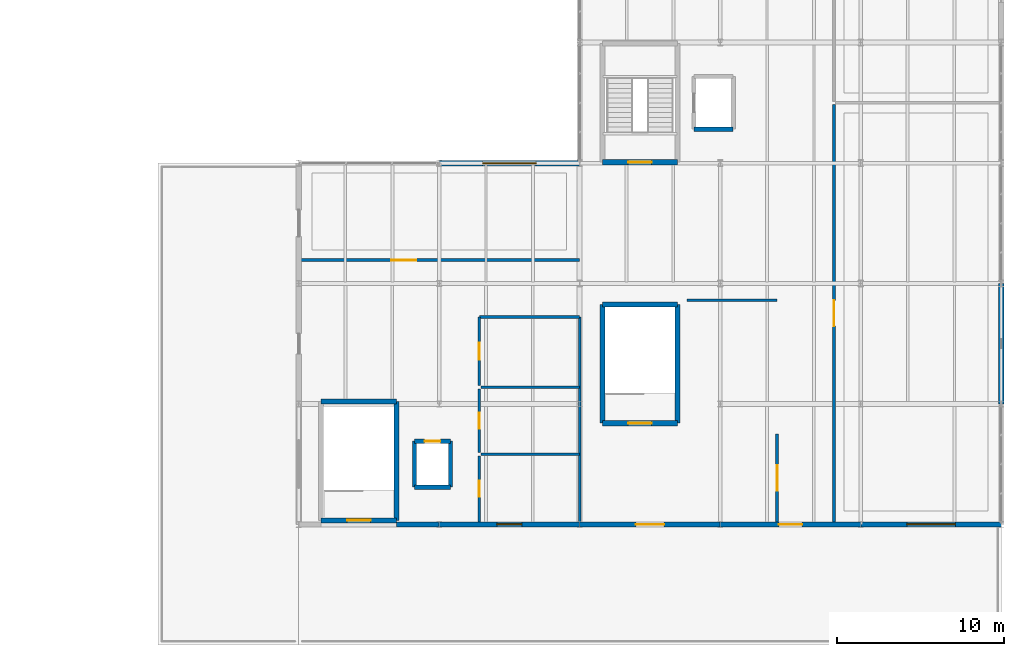
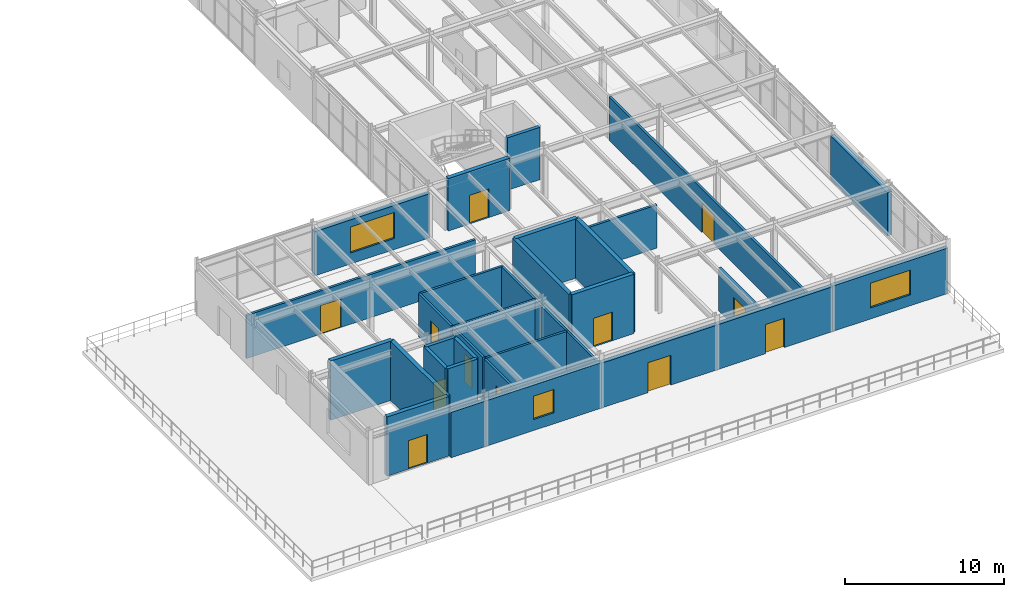
# One storey, part 129 of 134: 31 walls, 12 doors, 3 windows, 15 openings.
"""IFC4 building model written with IfcOpenShell, lengths in metres."""

import ifcopenshell
import ifcopenshell.guid

model = None  # the IFC model being written
_history = None  # IfcOwnerHistory: only IFC2X3 demands one
_inside = {}  # id of a spatial element -> (the spatial element, [elements in it])
_under = {}  # id of a project, library or spatial element -> (it, [spatial elements below it])
_declared = {}  # id of a project -> (the project, [libraries it declares])
_typed = {}  # id of a type object -> (the type object, [elements of that type])
_made_of = {}  # id of a material, layer set ... -> (it, [elements and type objects made of it])


def new_model(schema):
    """Start an empty IFC model of exactly this schema.

    Asked for "IFC4X3", IfcOpenShell would pick the latest addendum, in which some entities
    have other attributes; the version numbers below select the first issue.
    IFC2X3 requires an IfcOwnerHistory on every rooted entity: one is made here for all.
    """
    global model, _history
    if schema == "IFC4X3":
        model = ifcopenshell.file(schema_version=(4, 3, 0, 0))
    else:
        model = ifcopenshell.file(schema=schema)
    _inside.clear()
    _under.clear()
    _declared.clear()
    _typed.clear()
    _made_of.clear()
    _history = None
    if model.schema == "IFC2X3":
        org = make("IfcOrganization", Name="unknown")
        user = make(
            "IfcPersonAndOrganization",
            ThePerson=make("IfcPerson", FamilyName="unknown"),
            TheOrganization=org,
        )
        app = make(
            "IfcApplication",
            ApplicationDeveloper=org,
            Version="unknown",
            ApplicationFullName="unknown",
            ApplicationIdentifier="unknown",
        )
        _history = make(
            "IfcOwnerHistory",
            OwningUser=user,
            OwningApplication=app,
            ChangeAction="ADDED",
            CreationDate=0,
        )
    return model


def make(cls, **values):
    """One entity of the class cls with the attributes given. An attribute that is None is left unset."""
    return model.create_entity(
        cls, **{name: value for name, value in values.items() if value is not None}
    )


def rooted(cls, **values):
    """An entity with a GlobalId (a new one), such as an element, a storey or a relation."""
    return make(cls, GlobalId=ifcopenshell.guid.new(), OwnerHistory=_history, **values)


def si_unit(unit_type, name, prefix=None):
    """IfcSIUnit, for example si_unit("LENGTHUNIT", "METRE", prefix="MILLI")."""
    return make("IfcSIUnit", UnitType=unit_type, Prefix=prefix, Name=name)


def derived_unit(unit_type, elements):
    """IfcDerivedUnit: a product of units, each with its exponent."""
    return make(
        "IfcDerivedUnit",
        Elements=[
            make("IfcDerivedUnitElement", Unit=unit, Exponent=power)
            for unit, power in elements
        ],
        UnitType=unit_type,
    )


def assignment(units):
    """IfcUnitAssignment: the units of a project."""
    return None if units is None else make("IfcUnitAssignment", Units=units)


def point(xyz):
    """IfcCartesianPoint."""
    return None if xyz is None else make("IfcCartesianPoint", Coordinates=xyz)


def direction(xyz):
    """IfcDirection."""
    return None if xyz is None else make("IfcDirection", DirectionRatios=xyz)


def frame(location, z_axis=None, x_axis=None):
    """IfcAxis2Placement3D, a coordinate frame: its origin and axes. An axis left out is left unset."""
    return make(
        "IfcAxis2Placement3D",
        Location=point(location),
        Axis=direction(z_axis),
        RefDirection=direction(x_axis),
    )


def frame_2d(location, x_axis=None):
    """IfcAxis2Placement2D, a coordinate frame in the plane: its origin and x axis."""
    return make(
        "IfcAxis2Placement2D", Location=point(location), RefDirection=direction(x_axis)
    )


def origin():
    """The frame at (0, 0, 0) with its axes left unset."""
    return frame((0.0, 0.0, 0.0))


def place(relative_to, where):
    """IfcLocalPlacement: puts the frame where relative to a parent placement (None: the world)."""
    return make(
        "IfcLocalPlacement", PlacementRelTo=relative_to, RelativePlacement=where
    )


def context(
    kind, dimensions, precision=None, world=None, true_north=None, identifier=None
):
    """IfcGeometricRepresentationContext, for example the 3D "Model" context."""
    return make(
        "IfcGeometricRepresentationContext",
        ContextIdentifier=identifier,
        ContextType=kind,
        CoordinateSpaceDimension=dimensions,
        Precision=precision,
        WorldCoordinateSystem=world,
        TrueNorth=true_north,
    )


def subcontext(parent, identifier, kind, view, scale=None):
    """IfcGeometricRepresentationSubContext, for example "Body" below "Model"."""
    return make(
        "IfcGeometricRepresentationSubContext",
        ContextIdentifier=identifier,
        ContextType=kind,
        ParentContext=parent,
        TargetScale=scale,
        TargetView=view,
    )


def project(units=None, contexts=None):
    """IfcProject with its units and contexts."""
    return rooted(
        "IfcProject",
        Name="project",
        RepresentationContexts=contexts,
        UnitsInContext=assignment(units),
    )


def spatial(cls, under=None, at=None, **own):
    """A site, building, storey or space (cls), placed at a placement, below another one or the project."""
    s = rooted(cls, ObjectPlacement=at, **own)
    if under is not None:
        _under.setdefault(under.id(), (under, []))[1].append(s)
    return s


def profile(cls, at=None, kind="AREA", **sizes):
    """A parametric profile (cls). Its sizes go by their IFC names, for example OverallWidth=200.0."""
    return make(cls, ProfileType=kind, Position=at, **sizes)


def rectangle(**sizes):
    """IfcRectangleProfileDef."""
    return profile("IfcRectangleProfileDef", **sizes)


def extrude(swept, where, along, depth):
    """IfcExtrudedAreaSolid: the profile swept, set in the frame where, extruded along a direction by depth."""
    return make(
        "IfcExtrudedAreaSolid",
        SweptArea=swept,
        Position=where,
        ExtrudedDirection=direction(along),
        Depth=depth,
    )


def shape(context_of_items, identifier, shape_type, items):
    """IfcShapeRepresentation: the items that make up one representation, for example the "Body"."""
    return make(
        "IfcShapeRepresentation",
        ContextOfItems=context_of_items,
        RepresentationIdentifier=identifier,
        RepresentationType=shape_type,
        Items=items,
    )


def material(Name=None, Category=None):
    """IfcMaterial."""
    return make("IfcMaterial", Name=Name, Category=Category)


def layer(
    of_material, thickness, ventilated=None, Name=None, Category=None, Priority=None
):
    """IfcMaterialLayer: one layer of a wall or slab, of a material (None: an air gap)."""
    return make(
        "IfcMaterialLayer",
        Material=of_material,
        LayerThickness=thickness,
        IsVentilated=ventilated,
        Name=Name,
        Category=Category,
        Priority=Priority,
    )


def layer_set(layers, Name=None):
    """IfcMaterialLayerSet."""
    return make("IfcMaterialLayerSet", MaterialLayers=layers, LayerSetName=Name)


def made_of(thing, what):
    """Note that an element or type object is made of a material, layer set ...; save() writes the relation."""
    if what is not None:
        _made_of.setdefault(what.id(), (what, []))[1].append(thing)
    return thing


def type_object(cls, material=None, **own):
    """A type object (cls), such as IfcWallType, which elements share."""
    return made_of(rooted(cls, **own), material)


def element(
    cls,
    number,
    at=None,
    inside=None,
    cuts=None,
    type_object=None,
    material=None,
    context=None,
    identifier="Body",
    shape_type=None,
    held_by="IfcProductDefinitionShape",
    body=None,
    shapes=None,
    **own,
):
    """One element of the class cls, such as IfcWall. Its Tag is "e" and its number.

    at: its placement. inside: the storey or other place that contains it. cuts: it is an
    opening in that element (IfcRelVoidsElement). A single representation is given by context,
    identifier, shape_type and body (its items); several are given by shapes. held_by: the class
    of the entity that holds the representations. save() writes the other relations.
    """
    e = rooted(cls, Tag="e%d" % number, ObjectPlacement=at, **own)
    if body is not None:
        shapes = [shape(context, identifier, shape_type, body)]
    if shapes is not None:
        e.Representation = make(held_by, Representations=shapes)
    if inside is not None:
        _inside.setdefault(inside.id(), (inside, []))[1].append(e)
    if cuts is not None:
        rooted(
            "IfcRelVoidsElement", RelatingBuildingElement=cuts, RelatedOpeningElement=e
        )
    if type_object is not None:
        _typed.setdefault(type_object.id(), (type_object, []))[1].append(e)
    return made_of(e, material)


def fill(opening, filler):
    """IfcRelFillsElement: the door or window that sits in an opening."""
    return rooted(
        "IfcRelFillsElement",
        RelatingOpeningElement=opening,
        RelatedBuildingElement=filler,
    )


def aggregate(whole, parts):
    """IfcRelAggregates: a whole, such as a stair, and the parts it consists of."""
    return rooted("IfcRelAggregates", RelatingObject=whole, RelatedObjects=parts)


def save(model, path):
    """Write the relations noted so far, then the file.

    IfcRelAggregates (storeys below a building ...), IfcRelContainedInSpatialStructure (elements
    in a storey), IfcRelDefinesByType, IfcRelAssociatesMaterial and IfcRelDeclares: one each for
    every whole, place, type object, material and project.
    """
    for whole, parts in _under.values():
        aggregate(whole, parts)
    for where, things in _inside.values():
        rooted(
            "IfcRelContainedInSpatialStructure",
            RelatedElements=things,
            RelatingStructure=where,
        )
    for kind, things in _typed.values():
        rooted("IfcRelDefinesByType", RelatedObjects=things, RelatingType=kind)
    for what, things in _made_of.values():
        rooted("IfcRelAssociatesMaterial", RelatedObjects=things, RelatingMaterial=what)
    for by, libraries in _declared.values():
        rooted("IfcRelDeclares", RelatingContext=by, RelatedDefinitions=libraries)
    model.write(path)


model = new_model("IFC4")

# Units and contexts
model_context = context("Model", 3, precision=1e-05, world=origin(), true_north=direction((0.0, 1.0)))
body_context = subcontext(model_context, "Body", "Model", "MODEL_VIEW")
ifc_project = project(units=[si_unit("LENGTHUNIT", "METRE"), si_unit("AREAUNIT", "SQUARE_METRE"), si_unit("VOLUMEUNIT", "CUBIC_METRE"), si_unit("PLANEANGLEUNIT", "RADIAN"), si_unit("MASSUNIT", "GRAM", prefix="KILO"), derived_unit("THERMALTRANSMITTANCEUNIT", [(si_unit("MASSUNIT", "GRAM", prefix="KILO"), 1), (si_unit("TIMEUNIT", "SECOND"), -3), (si_unit("THERMODYNAMICTEMPERATUREUNIT", "KELVIN"), -1)])], contexts=[model_context])

# Site, building, storey
site_placement = place(None, origin())
site = spatial("IfcSite", under=ifc_project, at=site_placement, CompositionType="ELEMENT")
building_placement = place(site_placement, origin())
building = spatial("IfcBuilding", under=site, at=building_placement, Name="Kharveza Railside Sports Centre", CompositionType="ELEMENT")
storey_placement = place(building_placement, frame((0.0, 0.0, 12.89990234375)))
storey = spatial("IfcBuildingStorey", under=building, at=storey_placement, Name="L03", CompositionType="ELEMENT", Elevation=12.89990234375)

# Walls
ifc_material_1 = material(Name="Concrete C35/45", Category="concrete")
ifc_layer_1 = layer(ifc_material_1, 0.25, Name="Concrete C35/45")
ifc_layer_set_1 = layer_set([ifc_layer_1], Name="Concrete C35/45")
wall_type_1 = type_object("IfcWallType", Name="WL-CR250", PredefinedType="SHEAR", material=ifc_layer_set_1)
wall_1_placement = place(storey_placement, frame((149.625, 38.02490234375, 0.0), z_axis=(0.0, 0.0, 1.0), x_axis=(1.0, 0.0, 0.0)))
element("IfcWall", 1, at=wall_1_placement, inside=storey, type_object=wall_type_1, Name="WL-LFSH-LF1-L03-S", PredefinedType="SHEAR", context=body_context, shape_type="SweptSolid", body=[
    extrude(rectangle(XDim=2.35009765625, YDim=0.25, at=frame_2d((1.175048828125, 0.0))), origin(), (0.0, 0.0, 1.0), 4.03515625),
])
wall_2_placement = place(storey_placement, frame((132.925048828125, 16.625, 0.0), z_axis=(0.0, 0.0, 1.0), x_axis=(1.0, 0.0, 0.0)))
element("IfcWall", 2, at=wall_2_placement, inside=storey, type_object=wall_type_1, Name="WL-LFSH-LF3-L03-S", PredefinedType="SHEAR", context=body_context, shape_type="SweptSolid", body=[
    extrude(rectangle(XDim=2.14990234375, YDim=0.25, at=frame_2d((1.074951171875, 0.0))), origin(), (0.0, 0.0, 1.0), 5.10009765625),
])
wall_3_placement = place(storey_placement, frame((135.074951171875, 16.625, 0.0), z_axis=(0.0, 0.0, 1.0), x_axis=(0.0, 1.0, 0.0)))
element("IfcWall", 3, at=wall_3_placement, inside=storey, type_object=wall_type_1, Name="WL-LFSH-LF3-L03-E", PredefinedType="SHEAR", context=body_context, shape_type="SweptSolid", body=[
    extrude(rectangle(XDim=2.75, YDim=0.25, at=frame_2d((1.375, 0.0))), origin(), (0.0, 0.0, 1.0), 5.10009765625),
])

# Wall, opening, door
wall_4_placement = place(storey_placement, frame((135.074951171875, 19.375, 0.0), z_axis=(0.0, 0.0, 1.0), x_axis=(-1.0, 0.0, 0.0)))
wall_4 = element("IfcWall", 4, at=wall_4_placement, inside=storey, type_object=wall_type_1, Name="WL-LFSH-LF3-L03-N", PredefinedType="SHEAR", context=body_context, shape_type="SweptSolid", body=[
    extrude(rectangle(XDim=2.14990234375, YDim=0.25, at=frame_2d((1.074951171875, 0.0))), origin(), (0.0, 0.0, 1.0), 5.10009765625),
])
opening_1_placement = place(wall_4_placement, frame((0.60009765625, 0.0, 0.0)))
opening_1 = element("IfcOpeningElement", 5, at=opening_1_placement, cuts=wall_4, Name="Opening D12", PredefinedType="OPENING", context=body_context, shape_type="SweptSolid", body=[
    extrude(rectangle(XDim=0.949951171875, YDim=2.10009765625, at=frame_2d((0.47509765625, 1.050048828125))), frame((0.0, 0.14990234375, 0.0), z_axis=(0.0, -1.0, 0.0), x_axis=(1.0, 0.0, 0.0)), (0.0, 0.0, 1.0), 0.2998046875),
])
ifc_material_2 = material(Name="Brushed stainless steel landing door", Category="steel")
door_type_1 = type_object("IfcDoorType", Name="DR-LF02", OperationType="NOTDEFINED", PredefinedType="DOOR", material=ifc_material_2)
door_1_placement = place(opening_1_placement, origin())
door_1 = element("IfcDoor", 6, at=door_1_placement, inside=storey, type_object=door_type_1, Name="DR-LD-LF3-L03", OperationType="SLIDING_TO_LEFT", OverallHeight=2.10009765625, OverallWidth=0.949951171875, PredefinedType="DOOR", context=body_context, shape_type="SweptSolid", body=[
    extrude(rectangle(XDim=0.949951171875, YDim=2.10009765625, at=frame_2d((0.47509765625, 1.050048828125))), frame((0.0, 0.02490234375, 0.0), z_axis=(0.0, -1.0, 0.0), x_axis=(1.0, 0.0, 0.0)), (0.0, 0.0, 1.0), 0.050048828125),
])
fill(opening_1, door_1)

# Wall
wall_5_placement = place(storey_placement, frame((132.925048828125, 19.375, 0.0), z_axis=(0.0, 0.0, 1.0), x_axis=(0.0, -1.0, 0.0)))
element("IfcWall", 7, at=wall_5_placement, inside=storey, type_object=wall_type_1, Name="WL-LFSH-LF3-L03-W", PredefinedType="SHEAR", context=body_context, shape_type="SweptSolid", body=[
    extrude(rectangle(XDim=2.75, YDim=0.25, at=frame_2d((1.375, 0.0))), origin(), (0.0, 0.0, 1.0), 5.10009765625),
])

# Wall, opening, door
ifc_layer_2 = layer(ifc_material_1, 0.300048828125, Name="Concrete C35/45")
ifc_layer_set_2 = layer_set([ifc_layer_2], Name="Concrete C35/45")
wall_type_2 = type_object("IfcWallType", Name="WL-CR300", PredefinedType="SHEAR", material=ifc_layer_set_2)
wall_6_placement = place(storey_placement, frame((144.14990234375, 36.050048828125, 0.0), z_axis=(0.0, 0.0, 1.0), x_axis=(1.0, 0.0, 0.0)))
wall_6 = element("IfcWall", 8, at=wall_6_placement, inside=storey, type_object=wall_type_2, Name="WL-CORE-ST1-L03-S", PredefinedType="SHEAR", context=body_context, shape_type="SweptSolid", body=[
    extrude(rectangle(XDim=4.5, YDim=0.300048828125, at=frame_2d((2.25, 0.0))), origin(), (0.0, 0.0, 1.0), 4.03515625),
])
opening_2_placement = place(wall_6_placement, frame((1.550048828125, 0.0, 0.0)))
opening_2 = element("IfcOpeningElement", 9, at=opening_2_placement, cuts=wall_6, Name="Opening D09", PredefinedType="OPENING", context=body_context, shape_type="SweptSolid", body=[
    extrude(rectangle(XDim=1.39990234375, YDim=2.199951171875, at=frame_2d((0.699951171875, 1.10009765625))), frame((0.0, 0.1748046875, 0.0), z_axis=(0.0, -1.0, 0.0), x_axis=(1.0, 0.0, 0.0)), (0.0, 0.0, 1.0), 0.349853515625),
])
ifc_material_3 = material(Name="Fire-rated hardwood door leaf", Category="wood")
door_type_2 = type_object("IfcDoorType", Name="DR-ST02", OperationType="NOTDEFINED", PredefinedType="DOOR", material=ifc_material_3)
door_2_placement = place(opening_2_placement, frame((1.39990234375, 0.0, 0.0), z_axis=(0.0, 0.0, 1.0), x_axis=(-1.0, 0.0, 0.0)))
door_2 = element("IfcDoor", 10, at=door_2_placement, inside=storey, type_object=door_type_2, Name="DR-ST-ST1-L03", OperationType="SINGLE_SWING_LEFT", OverallHeight=2.199951171875, OverallWidth=1.39990234375, PredefinedType="DOOR", context=body_context, shape_type="SweptSolid", body=[
    extrude(rectangle(XDim=1.39990234375, YDim=2.199951171875, at=frame_2d((0.699951171875, 1.10009765625))), frame((0.0, 0.02490234375, 0.0), z_axis=(0.0, -1.0, 0.0), x_axis=(1.0, 0.0, 0.0)), (0.0, 0.0, 1.0), 0.050048828125),
])
fill(opening_2, door_2)

wall_7_placement = place(storey_placement, frame((127.35009765625, 14.64990234375, 0.0), z_axis=(0.0, 0.0, 1.0), x_axis=(1.0, 0.0, 0.0)))
wall_7 = element("IfcWall", 11, at=wall_7_placement, inside=storey, type_object=wall_type_2, Name="WL-CORE-ST3-L03-S", PredefinedType="SHEAR", context=body_context, shape_type="SweptSolid", body=[
    extrude(rectangle(XDim=4.5, YDim=0.300048828125, at=frame_2d((2.25, 0.0))), origin(), (0.0, 0.0, 1.0), 4.56005859375),
])
opening_3_placement = place(wall_7_placement, frame((1.550048828125, 0.0, 0.0)))
opening_3 = element("IfcOpeningElement", 12, at=opening_3_placement, cuts=wall_7, Name="Opening D09", PredefinedType="OPENING", context=body_context, shape_type="SweptSolid", body=[
    extrude(rectangle(XDim=1.39990234375, YDim=2.199951171875, at=frame_2d((0.699951171875, 1.10009765625))), frame((0.0, 0.1748046875, 0.0), z_axis=(0.0, -1.0, 0.0), x_axis=(1.0, 0.0, 0.0)), (0.0, 0.0, 1.0), 0.349853515625),
])
door_3_placement = place(opening_3_placement, frame((1.39990234375, 0.0, 0.0), z_axis=(0.0, 0.0, 1.0), x_axis=(-1.0, 0.0, 0.0)))
door_3 = element("IfcDoor", 13, at=door_3_placement, inside=storey, type_object=door_type_2, Name="DR-ST-ST3-L03", OperationType="SINGLE_SWING_LEFT", OverallHeight=2.199951171875, OverallWidth=1.39990234375, PredefinedType="DOOR", context=body_context, shape_type="SweptSolid", body=[
    extrude(rectangle(XDim=1.39990234375, YDim=2.199951171875, at=frame_2d((0.699951171875, 1.10009765625))), frame((0.0, 0.02490234375, 0.0), z_axis=(0.0, -1.0, 0.0), x_axis=(1.0, 0.0, 0.0)), (0.0, 0.0, 1.0), 0.050048828125),
])
fill(opening_3, door_3)

# Walls
wall_8_placement = place(storey_placement, frame((131.85009765625, 14.64990234375, 0.0), z_axis=(0.0, 0.0, 1.0), x_axis=(0.0, 1.0, 0.0)))
element("IfcWall", 14, at=wall_8_placement, inside=storey, type_object=wall_type_2, Name="WL-CORE-ST3-L03-E", PredefinedType="SHEAR", context=body_context, shape_type="SweptSolid", body=[
    extrude(rectangle(XDim=7.10009765625, YDim=0.300048828125, at=frame_2d((3.550048828125, 0.0))), origin(), (0.0, 0.0, 1.0), 4.56005859375),
])
wall_9_placement = place(storey_placement, frame((131.85009765625, 21.75, 0.0), z_axis=(0.0, 0.0, 1.0), x_axis=(-1.0, 0.0, 0.0)))
element("IfcWall", 15, at=wall_9_placement, inside=storey, type_object=wall_type_2, Name="WL-CORE-ST3-L03-N", PredefinedType="SHEAR", context=body_context, shape_type="SweptSolid", body=[
    extrude(rectangle(XDim=4.5, YDim=0.300048828125, at=frame_2d((2.25, 0.0))), origin(), (0.0, 0.0, 1.0), 4.56005859375),
])

# Wall, opening, door
wall_10_placement = place(storey_placement, frame((144.14990234375, 20.449951171875, 0.0), z_axis=(0.0, 0.0, 1.0), x_axis=(1.0, 0.0, 0.0)))
wall_10 = element("IfcWall", 16, at=wall_10_placement, inside=storey, type_object=wall_type_2, Name="WL-CORE-ST5-L03-S", PredefinedType="SHEAR", context=body_context, shape_type="SweptSolid", body=[
    extrude(rectangle(XDim=4.5, YDim=0.300048828125, at=frame_2d((2.25, 0.0))), origin(), (0.0, 0.0, 1.0), 4.56005859375),
])
opening_4_placement = place(wall_10_placement, frame((1.550048828125, 0.0, 0.0)))
opening_4 = element("IfcOpeningElement", 17, at=opening_4_placement, cuts=wall_10, Name="Opening D09", PredefinedType="OPENING", context=body_context, shape_type="SweptSolid", body=[
    extrude(rectangle(XDim=1.39990234375, YDim=2.199951171875, at=frame_2d((0.699951171875, 1.10009765625))), frame((0.0, 0.1748046875, 0.0), z_axis=(0.0, -1.0, 0.0), x_axis=(1.0, 0.0, 0.0)), (0.0, 0.0, 1.0), 0.349853515625),
])
door_4_placement = place(opening_4_placement, frame((1.39990234375, 0.0, 0.0), z_axis=(0.0, 0.0, 1.0), x_axis=(-1.0, 0.0, 0.0)))
door_4 = element("IfcDoor", 18, at=door_4_placement, inside=storey, type_object=door_type_2, Name="DR-ST-ST5-L03", OperationType="SINGLE_SWING_LEFT", OverallHeight=2.199951171875, OverallWidth=1.39990234375, PredefinedType="DOOR", context=body_context, shape_type="SweptSolid", body=[
    extrude(rectangle(XDim=1.39990234375, YDim=2.199951171875, at=frame_2d((0.699951171875, 1.10009765625))), frame((0.0, 0.02490234375, 0.0), z_axis=(0.0, -1.0, 0.0), x_axis=(1.0, 0.0, 0.0)), (0.0, 0.0, 1.0), 0.050048828125),
])
fill(opening_4, door_4)

# Walls
wall_11_placement = place(storey_placement, frame((148.64990234375, 20.449951171875, 0.0), z_axis=(0.0, 0.0, 1.0), x_axis=(0.0, 1.0, 0.0)))
element("IfcWall", 19, at=wall_11_placement, inside=storey, type_object=wall_type_2, Name="WL-CORE-ST5-L03-E", PredefinedType="SHEAR", context=body_context, shape_type="SweptSolid", body=[
    extrude(rectangle(XDim=7.10009765625, YDim=0.300048828125, at=frame_2d((3.550048828125, 0.0))), origin(), (0.0, 0.0, 1.0), 4.56005859375),
])
wall_12_placement = place(storey_placement, frame((148.64990234375, 27.550048828125, 0.0), z_axis=(0.0, 0.0, 1.0), x_axis=(-1.0, 0.0, 0.0)))
element("IfcWall", 20, at=wall_12_placement, inside=storey, type_object=wall_type_2, Name="WL-CORE-ST5-L03-N", PredefinedType="SHEAR", context=body_context, shape_type="SweptSolid", body=[
    extrude(rectangle(XDim=4.5, YDim=0.300048828125, at=frame_2d((2.25, 0.0))), origin(), (0.0, 0.0, 1.0), 4.56005859375),
])
wall_13_placement = place(storey_placement, frame((144.14990234375, 27.550048828125, 0.0), z_axis=(0.0, 0.0, 1.0), x_axis=(0.0, -1.0, 0.0)))
element("IfcWall", 21, at=wall_13_placement, inside=storey, type_object=wall_type_2, Name="WL-CORE-ST5-L03-W", PredefinedType="SHEAR", context=body_context, shape_type="SweptSolid", body=[
    extrude(rectangle(XDim=7.10009765625, YDim=0.300048828125, at=frame_2d((3.550048828125, 0.0))), origin(), (0.0, 0.0, 1.0), 4.56005859375),
])
ifc_material_4 = material(Name="Precast concrete C40/50", Category="concrete")
ifc_layer_3 = layer(ifc_material_4, 0.320068359375, Name="Precast concrete C40/50")
ifc_layer_set_3 = layer_set([ifc_layer_3], Name="Precast concrete C40/50")
wall_type_3 = type_object("IfcWallType", Name="WL-EX320", PredefinedType="STANDARD", material=ifc_layer_set_3)
wall_14_placement = place(storey_placement, frame((131.85009765625, 14.39990234375, 0.0), z_axis=(0.0, 0.0, 1.0), x_axis=(1.0, 0.0, 0.0)))
element("IfcWall", 22, at=wall_14_placement, inside=storey, type_object=wall_type_3, Name="WL-EXT-L03-216", PredefinedType="STANDARD", context=body_context, shape_type="SweptSolid", body=[
    extrude(rectangle(XDim=2.5498046875, YDim=0.320068359375, at=frame_2d((1.27490234375, 0.0))), origin(), (0.0, 0.0, 1.0), 3.4951171875),
])

# Wall, opening, window
wall_15_placement = place(storey_placement, frame((134.39990234375, 14.39990234375, 0.0), z_axis=(0.0, 0.0, 1.0), x_axis=(1.0, 0.0, 0.0)))
wall_15 = element("IfcWall", 23, at=wall_15_placement, inside=storey, type_object=wall_type_3, Name="WL-EXT-L03-217", PredefinedType="STANDARD", context=body_context, shape_type="SweptSolid", body=[
    extrude(rectangle(XDim=8.400146484375, YDim=0.320068359375, at=frame_2d((4.2001953125, 0.0))), origin(), (0.0, 0.0, 1.0), 3.4951171875),
])
opening_5_placement = place(wall_15_placement, frame((3.449951171875, 0.0, 0.85009765625)))
opening_5 = element("IfcOpeningElement", 24, at=opening_5_placement, cuts=wall_15, Name="Opening WN06", PredefinedType="OPENING", context=body_context, shape_type="SweptSolid", body=[
    extrude(rectangle(XDim=1.5, YDim=1.800048828125, at=frame_2d((0.75, 0.89990234375))), frame((0.0, 0.18505859375, 0.0), z_axis=(0.0, -1.0, 0.0), x_axis=(1.0, 0.0, 0.0)), (0.0, 0.0, 1.0), 0.369873046875),
])
ifc_material_5 = material(Name="Low-E solar-control laminated glass", Category="glass")
window_type_1 = type_object("IfcWindowType", Name="WN-F06", PartitioningType="SINGLE_PANEL", PredefinedType="WINDOW", material=ifc_material_5)
window_1_placement = place(opening_5_placement, origin())
window_1 = element("IfcWindow", 25, at=window_1_placement, inside=storey, type_object=window_type_1, Name="WN-EXT-L03-125", OverallHeight=1.800048828125, OverallWidth=1.5, PartitioningType="SINGLE_PANEL", PredefinedType="WINDOW", context=body_context, shape_type="SweptSolid", body=[
    extrude(rectangle(XDim=1.5, YDim=1.800048828125, at=frame_2d((0.75, 0.89990234375))), frame((0.0, 0.030029296875, 0.0), z_axis=(0.0, -1.0, 0.0), x_axis=(1.0, 0.0, 0.0)), (0.0, 0.0, 1.0), 0.06005859375),
])
fill(opening_5, window_1)

# Wall, opening, door
wall_16_placement = place(storey_placement, frame((142.800048828125, 14.39990234375, 0.0), z_axis=(0.0, 0.0, 1.0), x_axis=(1.0, 0.0, 0.0)))
wall_16 = element("IfcWall", 26, at=wall_16_placement, inside=storey, type_object=wall_type_3, Name="WL-EXT-L03-218", PredefinedType="STANDARD", context=body_context, shape_type="SweptSolid", body=[
    extrude(rectangle(XDim=8.39990234375, YDim=0.320068359375, at=frame_2d((4.199951171875, 0.0))), origin(), (0.0, 0.0, 1.0), 3.445068359375),
])
opening_6_placement = place(wall_16_placement, frame((3.360107421875, 0.0, 0.0)))
opening_6 = element("IfcOpeningElement", 27, at=opening_6_placement, cuts=wall_16, Name="Opening D33", PredefinedType="OPENING", context=body_context, shape_type="SweptSolid", body=[
    extrude(rectangle(XDim=1.679931640625, YDim=2.300048828125, at=frame_2d((0.83984375, 1.14990234375))), frame((0.0, 0.18505859375, 0.0), z_axis=(0.0, -1.0, 0.0), x_axis=(1.0, 0.0, 0.0)), (0.0, 0.0, 1.0), 0.369873046875),
])
ifc_material_6 = material(Name="Anodised aluminium 6063-T6", Category="aluminium")
door_type_3 = type_object("IfcDoorType", Name="DR-Z09", OperationType="NOTDEFINED", PredefinedType="DOOR", material=ifc_material_6)
door_5_placement = place(opening_6_placement, frame((1.679931640625, 0.0, 0.0), z_axis=(0.0, 0.0, 1.0), x_axis=(-1.0, 0.0, 0.0)))
door_5 = element("IfcDoor", 28, at=door_5_placement, inside=storey, type_object=door_type_3, Name="DR-TERR-L03-037", OperationType="SINGLE_SWING_LEFT", OverallHeight=2.300048828125, OverallWidth=1.679931640625, PredefinedType="DOOR", context=body_context, shape_type="SweptSolid", body=[
    extrude(rectangle(XDim=1.679931640625, YDim=2.300048828125, at=frame_2d((0.83984375, 1.14990234375))), frame((0.0, 0.02490234375, 0.0), z_axis=(0.0, -1.0, 0.0), x_axis=(1.0, 0.0, 0.0)), (0.0, 0.0, 1.0), 0.050048828125),
])
fill(opening_6, door_5)

wall_17_placement = place(storey_placement, frame((151.199951171875, 14.39990234375, 0.0), z_axis=(0.0, 0.0, 1.0), x_axis=(1.0, 0.0, 0.0)))
wall_17 = element("IfcWall", 29, at=wall_17_placement, inside=storey, type_object=wall_type_3, Name="WL-EXT-L03-219", PredefinedType="STANDARD", context=body_context, shape_type="SweptSolid", body=[
    extrude(rectangle(XDim=8.400146484375, YDim=0.320068359375, at=frame_2d((4.2001953125, 0.0))), origin(), (0.0, 0.0, 1.0), 3.445068359375),
])
opening_7_placement = place(wall_17_placement, frame((3.510009765625, 0.0, 0.0)))
opening_7 = element("IfcOpeningElement", 30, at=opening_7_placement, cuts=wall_17, Name="Opening D34", PredefinedType="OPENING", context=body_context, shape_type="SweptSolid", body=[
    extrude(rectangle(XDim=1.3798828125, YDim=2.25, at=frame_2d((0.68994140625, 1.125))), frame((0.0, 0.18505859375, 0.0), z_axis=(0.0, -1.0, 0.0), x_axis=(1.0, 0.0, 0.0)), (0.0, 0.0, 1.0), 0.369873046875),
])
door_type_4 = type_object("IfcDoorType", Name="DR-Z10", OperationType="NOTDEFINED", PredefinedType="DOOR", material=ifc_material_6)
door_6_placement = place(opening_7_placement, frame((1.3798828125, 0.0, 0.0), z_axis=(0.0, 0.0, 1.0), x_axis=(-1.0, 0.0, 0.0)))
door_6 = element("IfcDoor", 31, at=door_6_placement, inside=storey, type_object=door_type_4, Name="DR-TERR-L03-038", OperationType="SINGLE_SWING_RIGHT", OverallHeight=2.25, OverallWidth=1.3798828125, PredefinedType="DOOR", context=body_context, shape_type="SweptSolid", body=[
    extrude(rectangle(XDim=1.3798828125, YDim=2.25, at=frame_2d((0.68994140625, 1.125))), frame((0.0, 0.02490234375, 0.0), z_axis=(0.0, -1.0, 0.0), x_axis=(1.0, 0.0, 0.0)), (0.0, 0.0, 1.0), 0.050048828125),
])
fill(opening_7, door_6)

# Wall, opening, window
wall_18_placement = place(storey_placement, frame((159.60009765625, 14.39990234375, 0.0), z_axis=(0.0, 0.0, 1.0), x_axis=(1.0, 0.0, 0.0)))
wall_18 = element("IfcWall", 32, at=wall_18_placement, inside=storey, type_object=wall_type_3, Name="WL-EXT-L03-220", PredefinedType="STANDARD", context=body_context, shape_type="SweptSolid", body=[
    extrude(rectangle(XDim=8.39990234375, YDim=0.320068359375, at=frame_2d((4.199951171875, 0.0))), origin(), (0.0, 0.0, 1.0), 3.4951171875),
])
opening_8_placement = place(wall_18_placement, frame((2.75, 0.0, 0.85009765625)))
opening_8 = element("IfcOpeningElement", 33, at=opening_8_placement, cuts=wall_18, Name="Opening WN19", PredefinedType="OPENING", context=body_context, shape_type="SweptSolid", body=[
    extrude(rectangle(XDim=2.89990234375, YDim=1.89990234375, at=frame_2d((1.449951171875, 0.949951171875))), frame((0.0, 0.18505859375, 0.0), z_axis=(0.0, -1.0, 0.0), x_axis=(1.0, 0.0, 0.0)), (0.0, 0.0, 1.0), 0.369873046875),
])
window_type_2 = type_object("IfcWindowType", Name="WN-Z03", PartitioningType="SINGLE_PANEL", PredefinedType="WINDOW", material=ifc_material_5)
window_2_placement = place(opening_8_placement, origin())
window_2 = element("IfcWindow", 34, at=window_2_placement, inside=storey, type_object=window_type_2, Name="WN-EXT-L03-126", OverallHeight=1.89990234375, OverallWidth=2.89990234375, PartitioningType="SINGLE_PANEL", PredefinedType="WINDOW", context=body_context, shape_type="SweptSolid", body=[
    extrude(rectangle(XDim=2.89990234375, YDim=1.89990234375, at=frame_2d((1.449951171875, 0.949951171875))), frame((0.0, 0.030029296875, 0.0), z_axis=(0.0, -1.0, 0.0), x_axis=(1.0, 0.0, 0.0)), (0.0, 0.0, 1.0), 0.06005859375),
])
fill(opening_8, window_2)

# Wall
wall_19_placement = place(storey_placement, frame((168.0, 21.60009765625, 0.0), z_axis=(0.0, 0.0, 1.0), x_axis=(0.0, 1.0, 0.0)))
element("IfcWall", 35, at=wall_19_placement, inside=storey, type_object=wall_type_3, Name="WL-EXT-L03-221", PredefinedType="STANDARD", context=body_context, shape_type="SweptSolid", body=[
    extrude(rectangle(XDim=7.199951171875, YDim=0.320068359375, at=frame_2d((3.60009765625, 0.0))), origin(), (0.0, 0.0, 1.0), 3.34521484375),
])

# Wall, opening, window
wall_20_placement = place(storey_placement, frame((142.800048828125, 36.0, 0.0), z_axis=(0.0, 0.0, 1.0), x_axis=(-1.0, 0.0, 0.0)))
wall_20 = element("IfcWall", 36, at=wall_20_placement, inside=storey, type_object=wall_type_3, Name="WL-EXT-L03-231", PredefinedType="STANDARD", context=body_context, shape_type="SweptSolid", body=[
    extrude(rectangle(XDim=8.400146484375, YDim=0.320068359375, at=frame_2d((4.2001953125, 0.0))), origin(), (0.0, 0.0, 1.0), 3.39501953125),
])
opening_9_placement = place(wall_20_placement, frame((2.60009765625, 0.0, 0.85009765625)))
opening_9 = element("IfcOpeningElement", 37, at=opening_9_placement, cuts=wall_20, Name="Opening WN18", PredefinedType="OPENING", context=body_context, shape_type="SweptSolid", body=[
    extrude(rectangle(XDim=3.199951171875, YDim=2.0, at=frame_2d((1.60009765625, 1.0))), frame((0.0, 0.18505859375, 0.0), z_axis=(0.0, -1.0, 0.0), x_axis=(1.0, 0.0, 0.0)), (0.0, 0.0, 1.0), 0.369873046875),
])
window_type_3 = type_object("IfcWindowType", Name="WN-Z02", PartitioningType="SINGLE_PANEL", PredefinedType="WINDOW", material=ifc_material_5)
window_3_placement = place(opening_9_placement, origin())
window_3 = element("IfcWindow", 38, at=window_3_placement, inside=storey, type_object=window_type_3, Name="WN-EXT-L03-133", OverallHeight=2.0, OverallWidth=3.199951171875, PartitioningType="SINGLE_PANEL", PredefinedType="WINDOW", context=body_context, shape_type="SweptSolid", body=[
    extrude(rectangle(XDim=3.199951171875, YDim=2.0, at=frame_2d((1.60009765625, 1.0))), frame((0.0, 0.030029296875, 0.0), z_axis=(0.0, -1.0, 0.0), x_axis=(1.0, 0.0, 0.0)), (0.0, 0.0, 1.0), 0.06005859375),
])
fill(opening_9, window_3)

# Wall, opening, door
ifc_layer_4 = layer(ifc_material_1, 0.159912109375, Name="Concrete C35/45")
ifc_layer_set_4 = layer_set([ifc_layer_4], Name="Concrete C35/45")
wall_type_4 = type_object("IfcWallType", Name="WL-PT160", PredefinedType="PARTITIONING", material=ifc_layer_set_4)
wall_21_placement = place(storey_placement, frame((136.800048828125, 14.550048828125, 0.0), z_axis=(0.0, 0.0, 1.0), x_axis=(0.0, 1.0, 0.0)))
wall_21 = element("IfcWall", 39, at=wall_21_placement, inside=storey, type_object=wall_type_4, Name="WL-INT-L03-097", PredefinedType="PARTITIONING", context=body_context, shape_type="SweptSolid", body=[
    extrude(rectangle(XDim=3.949951171875, YDim=0.159912109375, at=frame_2d((1.97509765625, 0.0))), origin(), (0.0, 0.0, 1.0), 3.320068359375),
])
opening_10_placement = place(wall_21_placement, frame((1.5, 0.0, 0.0)))
opening_10 = element("IfcOpeningElement", 40, at=opening_10_placement, cuts=wall_21, Name="Opening D19", PredefinedType="OPENING", context=body_context, shape_type="SweptSolid", body=[
    extrude(rectangle(XDim=0.949951171875, YDim=2.14990234375, at=frame_2d((0.47509765625, 1.074951171875))), frame((0.0, 0.10498046875, 0.0), z_axis=(0.0, -1.0, 0.0), x_axis=(1.0, 0.0, 0.0)), (0.0, 0.0, 1.0), 0.209716796875),
])
door_type_5 = type_object("IfcDoorType", Name="DR-IN07", OperationType="NOTDEFINED", PredefinedType="DOOR", material=ifc_material_3)
door_7_placement = place(opening_10_placement, frame((0.949951171875, 0.0, 0.0), z_axis=(0.0, 0.0, 1.0), x_axis=(-1.0, 0.0, 0.0)))
door_7 = element("IfcDoor", 41, at=door_7_placement, inside=storey, type_object=door_type_5, Name="DR-INT-L03-054", OperationType="SINGLE_SWING_LEFT", OverallHeight=2.14990234375, OverallWidth=0.949951171875, PredefinedType="DOOR", context=body_context, shape_type="SweptSolid", body=[
    extrude(rectangle(XDim=0.949951171875, YDim=2.14990234375, at=frame_2d((0.47509765625, 1.074951171875))), frame((0.0, 0.02490234375, 0.0), z_axis=(0.0, -1.0, 0.0), x_axis=(1.0, 0.0, 0.0)), (0.0, 0.0, 1.0), 0.050048828125),
])
fill(opening_10, door_7)

wall_22_placement = place(storey_placement, frame((136.800048828125, 18.699951171875, 0.0), z_axis=(0.0, 0.0, 1.0), x_axis=(0.0, 1.0, 0.0)))
wall_22 = element("IfcWall", 42, at=wall_22_placement, inside=storey, type_object=wall_type_4, Name="WL-INT-L03-098", PredefinedType="PARTITIONING", context=body_context, shape_type="SweptSolid", body=[
    extrude(rectangle(XDim=3.800048828125, YDim=0.159912109375, at=frame_2d((1.89990234375, 0.0))), origin(), (0.0, 0.0, 1.0), 3.320068359375),
])
opening_11_placement = place(wall_22_placement, frame((1.425048828125, 0.0, 0.0)))
opening_11 = element("IfcOpeningElement", 43, at=opening_11_placement, cuts=wall_22, Name="Opening D19", PredefinedType="OPENING", context=body_context, shape_type="SweptSolid", body=[
    extrude(rectangle(XDim=0.949951171875, YDim=2.14990234375, at=frame_2d((0.47509765625, 1.074951171875))), frame((0.0, 0.10498046875, 0.0), z_axis=(0.0, -1.0, 0.0), x_axis=(1.0, 0.0, 0.0)), (0.0, 0.0, 1.0), 0.209716796875),
])
door_8_placement = place(opening_11_placement, origin())
door_8 = element("IfcDoor", 44, at=door_8_placement, inside=storey, type_object=door_type_5, Name="DR-INT-L03-055", OperationType="SINGLE_SWING_RIGHT", OverallHeight=2.14990234375, OverallWidth=0.949951171875, PredefinedType="DOOR", context=body_context, shape_type="SweptSolid", body=[
    extrude(rectangle(XDim=0.949951171875, YDim=2.14990234375, at=frame_2d((0.47509765625, 1.074951171875))), frame((0.0, 0.02490234375, 0.0), z_axis=(0.0, -1.0, 0.0), x_axis=(1.0, 0.0, 0.0)), (0.0, 0.0, 1.0), 0.050048828125),
])
fill(opening_11, door_8)

wall_23_placement = place(storey_placement, frame((136.800048828125, 22.699951171875, 0.0), z_axis=(0.0, 0.0, 1.0), x_axis=(0.0, 1.0, 0.0)))
wall_23 = element("IfcWall", 45, at=wall_23_placement, inside=storey, type_object=wall_type_4, Name="WL-INT-L03-099", PredefinedType="PARTITIONING", context=body_context, shape_type="SweptSolid", body=[
    extrude(rectangle(XDim=4.10009765625, YDim=0.159912109375, at=frame_2d((2.050048828125, 0.0))), origin(), (0.0, 0.0, 1.0), 3.320068359375),
])
opening_12_placement = place(wall_23_placement, frame((1.550048828125, 0.0, 0.0)))
opening_12 = element("IfcOpeningElement", 46, at=opening_12_placement, cuts=wall_23, Name="Opening D18", PredefinedType="OPENING", context=body_context, shape_type="SweptSolid", body=[
    extrude(rectangle(XDim=1.0, YDim=2.14990234375, at=frame_2d((0.5, 1.074951171875))), frame((0.0, 0.10498046875, 0.0), z_axis=(0.0, -1.0, 0.0), x_axis=(1.0, 0.0, 0.0)), (0.0, 0.0, 1.0), 0.209716796875),
])
door_type_6 = type_object("IfcDoorType", Name="DR-IN06", OperationType="NOTDEFINED", PredefinedType="DOOR", material=ifc_material_3)
door_9_placement = place(opening_12_placement, origin())
door_9 = element("IfcDoor", 47, at=door_9_placement, inside=storey, type_object=door_type_6, Name="DR-INT-L03-056", OperationType="SINGLE_SWING_LEFT", OverallHeight=2.14990234375, OverallWidth=1.0, PredefinedType="DOOR", context=body_context, shape_type="SweptSolid", body=[
    extrude(rectangle(XDim=1.0, YDim=2.14990234375, at=frame_2d((0.5, 1.074951171875))), frame((0.0, 0.02490234375, 0.0), z_axis=(0.0, -1.0, 0.0), x_axis=(1.0, 0.0, 0.0)), (0.0, 0.0, 1.0), 0.050048828125),
])
fill(opening_12, door_9)

# Walls
for number, where, z_axis, x_axis, name in (
    (48, (136.89990234375, 18.60009765625, 0.0), (0.0, 0.0, 1.0), (1.0, 0.0, 0.0), "WL-INT-L03-100"),
    (49, (136.89990234375, 22.60009765625, 0.0), (0.0, 0.0, 1.0), (1.0, 0.0, 0.0), "WL-INT-L03-101"),
):
    element("IfcWall", number, at=place(storey_placement, frame(where, z_axis=z_axis, x_axis=x_axis)), inside=storey, type_object=wall_type_4, Name=name, PredefinedType="PARTITIONING", context=body_context, shape_type="SweptSolid", body=[
        extrude(rectangle(XDim=5.900146484375, YDim=0.159912109375, at=frame_2d((2.9501953125, 0.0))), origin(), (0.0, 0.0, 1.0), 3.320068359375),
    ])
wall_24_placement = place(storey_placement, frame((136.800048828125, 26.800048828125, 0.0), z_axis=(0.0, 0.0, 1.0), x_axis=(1.0, 0.0, 0.0)))
element("IfcWall", 50, at=wall_24_placement, inside=storey, type_object=wall_type_4, Name="WL-INT-L03-102", PredefinedType="PARTITIONING", context=body_context, shape_type="SweptSolid", body=[
    extrude(rectangle(XDim=6.0, YDim=0.159912109375, at=frame_2d((3.0, 0.0))), origin(), (0.0, 0.0, 1.0), 3.320068359375),
])
wall_25_placement = place(storey_placement, frame((142.800048828125, 14.550048828125, 0.0), z_axis=(0.0, 0.0, 1.0), x_axis=(0.0, 1.0, 0.0)))
element("IfcWall", 51, at=wall_25_placement, inside=storey, type_object=wall_type_4, Name="WL-INT-L03-103", PredefinedType="PARTITIONING", context=body_context, shape_type="SweptSolid", body=[
    extrude(rectangle(XDim=12.25, YDim=0.159912109375, at=frame_2d((6.125, 0.0))), origin(), (0.0, 0.0, 1.0), 3.320068359375),
])

# Wall, opening, door
ifc_material_7 = material(Name="Gypsum board acoustic stud partition")
ifc_layer_5 = layer(ifc_material_7, 0.175048828125, Name="Gypsum board acoustic stud partition")
ifc_layer_set_5 = layer_set([ifc_layer_5], Name="Gypsum board acoustic stud partition")
wall_type_5 = type_object("IfcWallType", Name="WL-PT175", PredefinedType="PARTITIONING", material=ifc_layer_set_5)
wall_26_placement = place(storey_placement, frame((126.14990234375, 30.199951171875, 0.0), z_axis=(0.0, 0.0, 1.0), x_axis=(1.0, 0.0, 0.0)))
wall_26 = element("IfcWall", 52, at=wall_26_placement, inside=storey, type_object=wall_type_5, Name="WL-INT-L03-096", PredefinedType="PARTITIONING", context=body_context, shape_type="SweptSolid", body=[
    extrude(rectangle(XDim=16.650146484375, YDim=0.175048828125, at=frame_2d((8.3251953125, 0.0))), origin(), (0.0, 0.0, 1.0), 3.320068359375),
])
opening_13_placement = place(wall_26_placement, frame((5.375, 0.0, 0.0)))
opening_13 = element("IfcOpeningElement", 53, at=opening_13_placement, cuts=wall_26, Name="Opening D15", PredefinedType="OPENING", context=body_context, shape_type="SweptSolid", body=[
    extrude(rectangle(XDim=1.5, YDim=2.199951171875, at=frame_2d((0.75, 1.10009765625))), frame((0.0, 0.1123046875, 0.0), z_axis=(0.0, -1.0, 0.0), x_axis=(1.0, 0.0, 0.0)), (0.0, 0.0, 1.0), 0.224853515625),
])
door_type_7 = type_object("IfcDoorType", Name="DR-IN03", OperationType="NOTDEFINED", PredefinedType="DOOR", material=ifc_material_3)
door_10_placement = place(opening_13_placement, origin())
door_10 = element("IfcDoor", 54, at=door_10_placement, inside=storey, type_object=door_type_7, Name="DR-INT-L03-053", OperationType="DOUBLE_DOOR_SINGLE_SWING", OverallHeight=2.199951171875, OverallWidth=1.5, PredefinedType="DOOR", context=body_context, shape_type="SweptSolid", body=[
    extrude(rectangle(XDim=1.5, YDim=2.199951171875, at=frame_2d((0.75, 1.10009765625))), frame((0.0, 0.02490234375, 0.0), z_axis=(0.0, -1.0, 0.0), x_axis=(1.0, 0.0, 0.0)), (0.0, 0.0, 1.0), 0.050048828125),
])
fill(opening_13, door_10)

wall_27_placement = place(storey_placement, frame((154.60009765625, 14.550048828125, 0.0), z_axis=(0.0, 0.0, 1.0), x_axis=(0.0, 1.0, 0.0)))
wall_27 = element("IfcWall", 55, at=wall_27_placement, inside=storey, type_object=wall_type_5, Name="WL-INT-L03-104", PredefinedType="PARTITIONING", context=body_context, shape_type="SweptSolid", body=[
    extrude(rectangle(XDim=5.25, YDim=0.175048828125, at=frame_2d((2.625, 0.0))), origin(), (0.0, 0.0, 1.0), 3.320068359375),
])
opening_14_placement = place(wall_27_placement, frame((1.875, 0.0, 0.0)))
opening_14 = element("IfcOpeningElement", 56, at=opening_14_placement, cuts=wall_27, Name="Opening D15", PredefinedType="OPENING", context=body_context, shape_type="SweptSolid", body=[
    extrude(rectangle(XDim=1.5, YDim=2.199951171875, at=frame_2d((0.75, 1.10009765625))), frame((0.0, 0.1123046875, 0.0), z_axis=(0.0, -1.0, 0.0), x_axis=(1.0, 0.0, 0.0)), (0.0, 0.0, 1.0), 0.224853515625),
])
door_11_placement = place(opening_14_placement, frame((1.5, 0.0, 0.0), z_axis=(0.0, 0.0, 1.0), x_axis=(-1.0, 0.0, 0.0)))
door_11 = element("IfcDoor", 57, at=door_11_placement, inside=storey, type_object=door_type_7, Name="DR-INT-L03-057", OperationType="DOUBLE_DOOR_SINGLE_SWING", OverallHeight=2.199951171875, OverallWidth=1.5, PredefinedType="DOOR", context=body_context, shape_type="SweptSolid", body=[
    extrude(rectangle(XDim=1.5, YDim=2.199951171875, at=frame_2d((0.75, 1.10009765625))), frame((0.0, 0.02490234375, 0.0), z_axis=(0.0, -1.0, 0.0), x_axis=(1.0, 0.0, 0.0)), (0.0, 0.0, 1.0), 0.050048828125),
])
fill(opening_14, door_11)

# Wall
wall_28_placement = place(storey_placement, frame((149.199951171875, 27.800048828125, 0.0), z_axis=(0.0, 0.0, 1.0), x_axis=(1.0, 0.0, 0.0)))
element("IfcWall", 58, at=wall_28_placement, inside=storey, type_object=wall_type_5, Name="WL-INT-L03-105", PredefinedType="PARTITIONING", context=body_context, shape_type="SweptSolid", body=[
    extrude(rectangle(XDim=5.400146484375, YDim=0.175048828125, at=frame_2d((2.7001953125, 0.0))), origin(), (0.0, 0.0, 1.0), 3.320068359375),
])

# Wall, opening, door
wall_29_placement = place(storey_placement, frame((158.0, 14.550048828125, 0.0), z_axis=(0.0, 0.0, 1.0), x_axis=(0.0, 1.0, 0.0)))
wall_29 = element("IfcWall", 59, at=wall_29_placement, inside=storey, type_object=wall_type_5, Name="WL-INT-L03-106", PredefinedType="PARTITIONING", context=body_context, shape_type="SweptSolid", body=[
    extrude(rectangle(XDim=24.949951171875, YDim=0.175048828125, at=frame_2d((12.47509765625, 0.0))), origin(), (0.0, 0.0, 1.0), 3.320068359375),
])
opening_15_placement = place(wall_29_placement, frame((11.699951171875, 0.0, 0.0)))
opening_15 = element("IfcOpeningElement", 60, at=opening_15_placement, cuts=wall_29, Name="Opening D25", PredefinedType="OPENING", context=body_context, shape_type="SweptSolid", body=[
    extrude(rectangle(XDim=1.550048828125, YDim=2.25, at=frame_2d((0.77490234375, 1.125))), frame((0.0, 0.1123046875, 0.0), z_axis=(0.0, -1.0, 0.0), x_axis=(1.0, 0.0, 0.0)), (0.0, 0.0, 1.0), 0.224853515625),
])
door_type_8 = type_object("IfcDoorType", Name="DR-Z01", OperationType="NOTDEFINED", PredefinedType="DOOR", material=ifc_material_3)
door_12_placement = place(opening_15_placement, origin())
door_12 = element("IfcDoor", 61, at=door_12_placement, inside=storey, type_object=door_type_8, Name="DR-INT-L03-058", OperationType="DOUBLE_DOOR_SINGLE_SWING", OverallHeight=2.25, OverallWidth=1.550048828125, PredefinedType="DOOR", context=body_context, shape_type="SweptSolid", body=[
    extrude(rectangle(XDim=1.550048828125, YDim=2.25, at=frame_2d((0.77490234375, 1.125))), frame((0.0, 0.02490234375, 0.0), z_axis=(0.0, -1.0, 0.0), x_axis=(1.0, 0.0, 0.0)), (0.0, 0.0, 1.0), 0.050048828125),
])
fill(opening_15, door_12)

save(model, "model.ifc")
